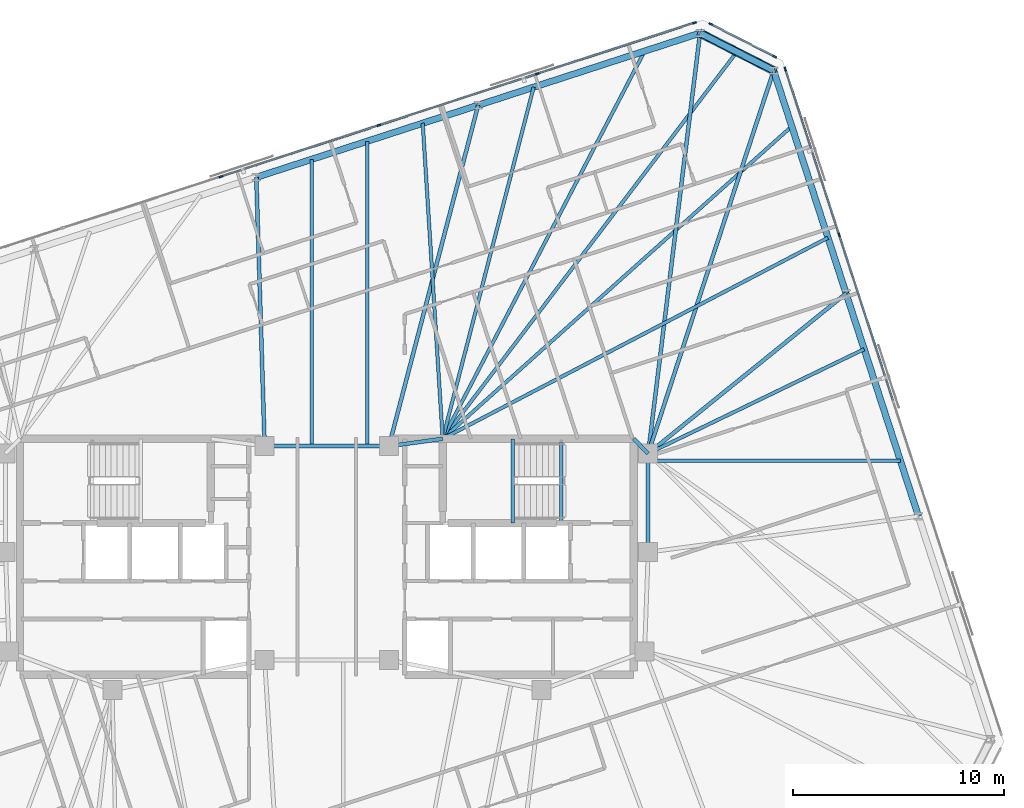
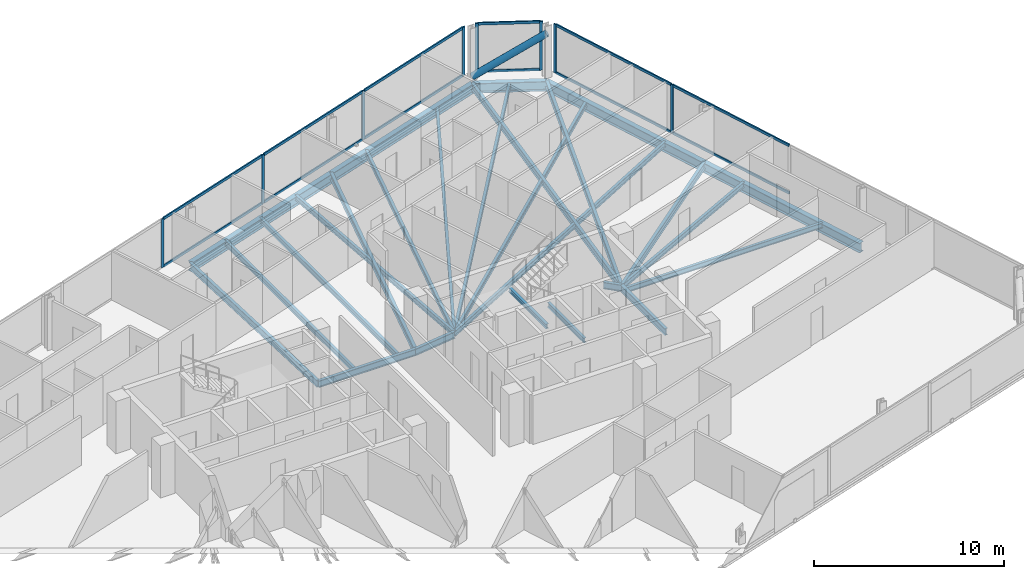
# One storey, part 10 of 20: 26 beams, 21 members, 3 elements without a shape of their own.
"""IFC4 building model written with IfcOpenShell, lengths in metres."""

from ifc_helpers import new_model, si_unit, direction, frame, origin, origin_2d, place, context, subcontext, project, spatial, rectangle, hollow_circle, i_section, extrude, material, material_profile, profile_set, type_object, element, aggregate, save


model = new_model("IFC4")

# Units and contexts
model_context = context("Model", 3, precision=1e-05, world=origin(), true_north=direction((0.0, 1.0)))
body_context = subcontext(model_context, "Body", "Model", "MODEL_VIEW")
ifc_project = project(units=[si_unit("LENGTHUNIT", "METRE"), si_unit("AREAUNIT", "SQUARE_METRE"), si_unit("VOLUMEUNIT", "CUBIC_METRE"), si_unit("PLANEANGLEUNIT", "RADIAN"), si_unit("MASSUNIT", "GRAM", prefix="KILO")], contexts=[model_context])

# Site, building, storey
site_placement = place(None, origin())
site = spatial("IfcSite", under=ifc_project, at=site_placement, CompositionType="ELEMENT")
building_placement = place(site_placement, origin())
building = spatial("IfcBuilding", under=site, at=building_placement, Name="Menara Jurai Vektor", CompositionType="ELEMENT")
storey_placement = place(building_placement, frame((0.0, 0.0, 224.300048828125)))
storey = spatial("IfcBuildingStorey", under=building, at=storey_placement, Name="L59", CompositionType="ELEMENT", Elevation=224.300048828125)

# Curtain wall, members
ifc_material_1 = material(Name="Anodised Pale Aluminium & Low-E Double Glazing", Category="aluminium")
curtain_wall_type = type_object("IfcCurtainWallType", Name="CW-BLK4", PredefinedType="NOTDEFINED", material=ifc_material_1)
curtain_wall_1_placement = place(storey_placement, origin())
curtain_wall_1 = element("IfcCurtainWall", 1, at=curtain_wall_1_placement, inside=storey, type_object=curtain_wall_type, Name="Unitised Curtain Wall L59 F03", PredefinedType="NOTDEFINED")
ifc_material_2 = material(Name="Anodised Pale Aluminium Mullion", Category="aluminium")
ifc_material_profile_1 = material_profile(ifc_material_2, rectangle(XDim=0.080078125, YDim=0.18994140625, at=origin_2d()), Name="ALU MUL 80x190")
ifc_profile_set_1 = profile_set([ifc_material_profile_1], Name="Anodised Pale Aluminium Mullion")
member_type_1 = type_object("IfcMemberType", Name="CW-BLK4-MUL", PredefinedType="MULLION", material=ifc_profile_set_1)
member_1_placement = place(storey_placement, frame((24.31494140625, 15.28271484375, 0.0), z_axis=(0.0, 0.0, 1.0), x_axis=(-0.95105668295, -0.309016481464, 0.0)))
member_1 = element("IfcMember", 2, at=member_1_placement, type_object=member_type_1, Name="CW-04 mullion 4", PredefinedType="MULLION", context=body_context, shape_type="SweptSolid", body=[
    extrude(rectangle(XDim=0.080078125, YDim=0.18994140625, at=origin_2d()), origin(), (0.0, 0.0, 1.0), 3.125),
])
member_2_placement = place(storey_placement, frame((21.75927734375, 23.14794921875, 0.0), z_axis=(0.0, 0.0, 1.0), x_axis=(-0.95105668295, -0.309016481464, 0.0)))
member_2 = element("IfcMember", 3, at=member_2_placement, type_object=member_type_1, Name="CW-04 mullion 5", PredefinedType="MULLION", context=body_context, shape_type="SweptSolid", body=[
    extrude(rectangle(XDim=0.080078125, YDim=0.18994140625, at=origin_2d()), origin(), (0.0, 0.0, 1.0), 3.125),
])

curtain_wall_2_placement = place(storey_placement, origin())
curtain_wall_2 = element("IfcCurtainWall", 4, at=curtain_wall_2_placement, inside=storey, type_object=curtain_wall_type, Name="Unitised Curtain Wall L59 F04", PredefinedType="NOTDEFINED")
member_3_placement = place(storey_placement, frame((21.25537109375, 23.73828125, 0.0), z_axis=(0.0, 0.0, 1.0), x_axis=(-0.453988579828, -0.89100750243, 0.0)))
member_3 = element("IfcMember", 5, at=member_3_placement, type_object=member_type_1, Name="CW-04 mullion 1", PredefinedType="MULLION", context=body_context, shape_type="SweptSolid", body=[
    extrude(rectangle(XDim=0.080078125, YDim=0.18994140625, at=origin_2d()), origin(), (0.0, 0.0, 1.0), 3.125),
])
member_4_placement = place(storey_placement, frame((18.223388671875, 25.282958984375, 0.0), z_axis=(0.0, 0.0, 1.0), x_axis=(-0.453988579828, -0.89100750243, 0.0)))
member_4 = element("IfcMember", 6, at=member_4_placement, type_object=member_type_1, Name="CW-04 mullion 2", PredefinedType="MULLION", context=body_context, shape_type="SweptSolid", body=[
    extrude(rectangle(XDim=0.080078125, YDim=0.18994140625, at=origin_2d()), origin(), (0.0, 0.0, 1.0), 3.125),
])

curtain_wall_3_placement = place(storey_placement, origin())
curtain_wall_3 = element("IfcCurtainWall", 7, at=curtain_wall_3_placement, inside=storey, type_object=curtain_wall_type, Name="Unitised Curtain Wall L59 F05", PredefinedType="NOTDEFINED")
member_5_placement = place(storey_placement, frame((17.44970703125, 25.34375, 0.0), z_axis=(0.0, 0.0, 1.0), x_axis=(0.309017344167, -0.951056402641, 0.0)))
member_5 = element("IfcMember", 8, at=member_5_placement, type_object=member_type_1, Name="CW-04 mullion 1", PredefinedType="MULLION", context=body_context, shape_type="SweptSolid", body=[
    extrude(rectangle(XDim=0.080078125, YDim=0.18994140625, at=origin_2d()), origin(), (0.0, 0.0, 1.0), 3.125),
])
member_6_placement = place(storey_placement, frame((9.982666015625, 22.917724609375, 0.0), z_axis=(0.0, 0.0, 1.0), x_axis=(0.309017344167, -0.951056402641, 0.0)))
member_6 = element("IfcMember", 9, at=member_6_placement, type_object=member_type_1, Name="CW-04 mullion 2", PredefinedType="MULLION", context=body_context, shape_type="SweptSolid", body=[
    extrude(rectangle(XDim=0.080078125, YDim=0.18994140625, at=origin_2d()), origin(), (0.0, 0.0, 1.0), 3.125),
])
member_7_placement = place(storey_placement, frame((2.4775390625, 20.47900390625, 0.0), z_axis=(0.0, 0.0, 1.0), x_axis=(0.309017344167, -0.951056402641, 0.0)))
member_7 = element("IfcMember", 10, at=member_7_placement, type_object=member_type_1, Name="CW-04 mullion 3", PredefinedType="MULLION", context=body_context, shape_type="SweptSolid", body=[
    extrude(rectangle(XDim=0.080078125, YDim=0.18994140625, at=origin_2d()), origin(), (0.0, 0.0, 1.0), 3.125),
])
member_8_placement = place(storey_placement, frame((-5.02783203125, 18.04052734375, 0.0), z_axis=(0.0, 0.0, 1.0), x_axis=(0.309017344167, -0.951056402641, 0.0)))
member_8 = element("IfcMember", 11, at=member_8_placement, type_object=member_type_1, Name="CW-04 mullion 4", PredefinedType="MULLION", context=body_context, shape_type="SweptSolid", body=[
    extrude(rectangle(XDim=0.080078125, YDim=0.18994140625, at=origin_2d()), origin(), (0.0, 0.0, 1.0), 3.125),
])

# Member
ifc_material_3 = material(Name="Anodised Pale Aluminium Transom", Category="aluminium")
ifc_material_profile_2 = material_profile(ifc_material_3, rectangle(XDim=0.080078125, YDim=0.1650390625, at=origin_2d()), Name="ALU TRN 80x165")
ifc_profile_set_2 = profile_set([ifc_material_profile_2], Name="Anodised Pale Aluminium Transom")
member_type_2 = type_object("IfcMemberType", Name="CW-BLK4-TRN", PredefinedType="USERDEFINED", material=ifc_profile_set_2)
member_9_placement = place(storey_placement, frame((26.870361328125, 7.41748046875, 0.0400390625), z_axis=(-0.309010276303, 0.951058699103, 0.0), x_axis=(-0.951058699103, -0.309010276303, 0.0)))
member_9 = element("IfcMember", 12, at=member_9_placement, type_object=member_type_2, Name="CW-04 transom 3.1", ObjectType="TRANSOM", PredefinedType="USERDEFINED", context=body_context, shape_type="SweptSolid", body=[
    extrude(rectangle(XDim=0.080078125, YDim=0.1650390625, at=origin_2d()), origin(), (0.0, 0.0, 1.0), 8.230224609375),
])

member_10_placement = place(storey_placement, frame((26.870361328125, 7.41748046875, 3.0849609375), z_axis=(-0.309010276303, 0.951058699103, 0.0), x_axis=(-0.951058699103, -0.309010276303, 0.0)))
member_10 = element("IfcMember", 13, at=member_10_placement, type_object=member_type_2, Name="CW-04 transom 3.2", ObjectType="TRANSOM", PredefinedType="USERDEFINED", context=body_context, shape_type="SweptSolid", body=[
    extrude(rectangle(XDim=0.080078125, YDim=0.1650390625, at=origin_2d()), origin(), (0.0, 0.0, 1.0), 8.230224609375),
])

member_11_placement = place(storey_placement, frame((24.302490234375, 15.32080078125, 0.0400390625), z_axis=(-0.309001816839, 0.951061447642, 0.0), x_axis=(-0.951061447642, -0.309001816839, 0.0)))
member_11 = element("IfcMember", 14, at=member_11_placement, type_object=member_type_2, Name="CW-04 transom 4.1", ObjectType="TRANSOM", PredefinedType="USERDEFINED", context=body_context, shape_type="SweptSolid", body=[
    extrude(rectangle(XDim=0.080078125, YDim=0.1650390625, at=origin_2d()), origin(), (0.0, 0.0, 1.0), 8.190185546875),
])

member_12_placement = place(storey_placement, frame((24.302490234375, 15.32080078125, 3.0849609375), z_axis=(-0.309001816839, 0.951061447642, 0.0), x_axis=(-0.951061447642, -0.309001816839, 0.0)))
member_12 = element("IfcMember", 15, at=member_12_placement, type_object=member_type_2, Name="CW-04 transom 4.2", ObjectType="TRANSOM", PredefinedType="USERDEFINED", context=body_context, shape_type="SweptSolid", body=[
    extrude(rectangle(XDim=0.080078125, YDim=0.1650390625, at=origin_2d()), origin(), (0.0, 0.0, 1.0), 8.190185546875),
])

aggregate(curtain_wall_1, [member_1, member_2, member_9, member_10, member_11, member_12])

member_13_placement = place(storey_placement, frame((21.2197265625, 23.75634765625, 0.0400390625), z_axis=(-0.89100697374, 0.453989617444, 0.0), x_axis=(-0.453989617444, -0.89100697374, 0.0)))
member_13 = element("IfcMember", 16, at=member_13_placement, type_object=member_type_2, Name="CW-04 transom 1.1", ObjectType="TRANSOM", PredefinedType="USERDEFINED", context=body_context, shape_type="SweptSolid", body=[
    extrude(rectangle(XDim=0.080078125, YDim=0.1650390625, at=origin_2d()), origin(), (0.0, 0.0, 1.0), 3.32275390625),
])

member_14_placement = place(storey_placement, frame((21.2197265625, 23.75634765625, 3.0849609375), z_axis=(-0.89100697374, 0.453989617444, 0.0), x_axis=(-0.453989617444, -0.89100697374, 0.0)))
member_14 = element("IfcMember", 17, at=member_14_placement, type_object=member_type_2, Name="CW-04 transom 1.2", ObjectType="TRANSOM", PredefinedType="USERDEFINED", context=body_context, shape_type="SweptSolid", body=[
    extrude(rectangle(XDim=0.080078125, YDim=0.1650390625, at=origin_2d()), origin(), (0.0, 0.0, 1.0), 3.32275390625),
])

aggregate(curtain_wall_2, [member_3, member_4, member_13, member_14])

member_15_placement = place(storey_placement, frame((17.41162109375, 25.33154296875, 0.0400390625), z_axis=(-0.951049997348, -0.309037056912, 0.0), x_axis=(0.309037056912, -0.951049997348, 0.0)))
member_15 = element("IfcMember", 18, at=member_15_placement, type_object=member_type_2, Name="CW-04 transom 1.1", ObjectType="TRANSOM", PredefinedType="USERDEFINED", context=body_context, shape_type="SweptSolid", body=[
    extrude(rectangle(XDim=0.080078125, YDim=0.1650390625, at=origin_2d()), origin(), (0.0, 0.0, 1.0), 7.771240234375),
])

member_16_placement = place(storey_placement, frame((17.41162109375, 25.33154296875, 3.0849609375), z_axis=(-0.951049997348, -0.309037056912, 0.0), x_axis=(0.309037056912, -0.951049997348, 0.0)))
member_16 = element("IfcMember", 19, at=member_16_placement, type_object=member_type_2, Name="CW-04 transom 1.2", ObjectType="TRANSOM", PredefinedType="USERDEFINED", context=body_context, shape_type="SweptSolid", body=[
    extrude(rectangle(XDim=0.080078125, YDim=0.1650390625, at=origin_2d()), origin(), (0.0, 0.0, 1.0), 7.771240234375),
])

member_17_placement = place(storey_placement, frame((9.944580078125, 22.9052734375, 0.0400390625), z_axis=(-0.951059330237, -0.309008333817, 0.0), x_axis=(0.309008333817, -0.951059330237, 0.0)))
member_17 = element("IfcMember", 20, at=member_17_placement, type_object=member_type_2, Name="CW-04 transom 2.1", ObjectType="TRANSOM", PredefinedType="USERDEFINED", context=body_context, shape_type="SweptSolid", body=[
    extrude(rectangle(XDim=0.080078125, YDim=0.1650390625, at=origin_2d()), origin(), (0.0, 0.0, 1.0), 7.8115234375),
])

member_18_placement = place(storey_placement, frame((9.944580078125, 22.9052734375, 3.0849609375), z_axis=(-0.951059330237, -0.309008333817, 0.0), x_axis=(0.309008333817, -0.951059330237, 0.0)))
member_18 = element("IfcMember", 21, at=member_18_placement, type_object=member_type_2, Name="CW-04 transom 2.2", ObjectType="TRANSOM", PredefinedType="USERDEFINED", context=body_context, shape_type="SweptSolid", body=[
    extrude(rectangle(XDim=0.080078125, YDim=0.1650390625, at=origin_2d()), origin(), (0.0, 0.0, 1.0), 7.8115234375),
])

member_19_placement = place(storey_placement, frame((2.439453125, 20.466552734375, 0.0400390625), z_axis=(-0.951059330237, -0.309008333817, 0.0), x_axis=(0.309008333817, -0.951059330237, 0.0)))
member_19 = element("IfcMember", 22, at=member_19_placement, type_object=member_type_2, Name="CW-04 transom 3.1", ObjectType="TRANSOM", PredefinedType="USERDEFINED", context=body_context, shape_type="SweptSolid", body=[
    extrude(rectangle(XDim=0.080078125, YDim=0.1650390625, at=origin_2d()), origin(), (0.0, 0.0, 1.0), 7.8115234375),
])

member_20_placement = place(storey_placement, frame((2.439453125, 20.466552734375, 3.0849609375), z_axis=(-0.951059330237, -0.309008333817, 0.0), x_axis=(0.309008333817, -0.951059330237, 0.0)))
member_20 = element("IfcMember", 23, at=member_20_placement, type_object=member_type_2, Name="CW-04 transom 3.2", ObjectType="TRANSOM", PredefinedType="USERDEFINED", context=body_context, shape_type="SweptSolid", body=[
    extrude(rectangle(XDim=0.080078125, YDim=0.1650390625, at=origin_2d()), origin(), (0.0, 0.0, 1.0), 7.8115234375),
])

aggregate(curtain_wall_3, [member_5, member_6, member_7, member_8, member_15, member_16, member_17, member_18, member_19, member_20])

# Beams
ifc_material_4 = material(Name="Steel S355", Category="steel")
ifc_material_profile_3 = material_profile(ifc_material_4, i_section(OverallWidth=0.18505859375, OverallDepth=0.429931640625, WebThickness=0.010986328125, FlangeThickness=0.01806640625, at=origin_2d()), Name="PG 430x185x76")
ifc_profile_set_3 = profile_set([ifc_material_profile_3], Name="Steel S355")
beam_type_1 = type_object("IfcBeamType", Name="STR-BM-430", PredefinedType="BEAM", material=ifc_profile_set_3)
beam_1_placement = place(storey_placement, frame((2.949951171875, 5.25, -0.43994140625), z_axis=(0.990706818608, 0.136014703483, 0.0), x_axis=(-0.136014703483, 0.990706818608, 0.0)))
element("IfcBeam", 24, at=beam_1_placement, inside=storey, type_object=beam_type_1, Name="Core Ring Header Girder L59-CHE-N1", PredefinedType="BEAM", context=body_context, shape_type="SweptSolid", body=[
    extrude(i_section(OverallWidth=0.18505859375, OverallDepth=0.429931640625, WebThickness=0.010986328125, FlangeThickness=0.01806640625, at=origin_2d()), origin(), (0.0, 0.0, 1.0), 2.573974609375),
])
beam_2_placement = place(storey_placement, frame((14.56005859375, 5.60009765625, -0.43994140625), z_axis=(0.701871936926, -0.712303154672, 0.0), x_axis=(0.712303154672, 0.701871936926, 0.0)))
element("IfcBeam", 25, at=beam_2_placement, inside=storey, type_object=beam_type_1, Name="Core Ring Header Girder L59-CHE-N2", PredefinedType="BEAM", context=body_context, shape_type="SweptSolid", body=[
    extrude(i_section(OverallWidth=0.18505859375, OverallDepth=0.429931640625, WebThickness=0.010986328125, FlangeThickness=0.01806640625, at=origin_2d()), origin(), (0.0, 0.0, 1.0), 0.98291015625),
])
beam_3_placement = place(storey_placement, frame((15.25, 0.219970703125, -0.43994140625), z_axis=(0.0, 1.0, 0.0), x_axis=(-1.0, 0.0, 0.0)))
element("IfcBeam", 26, at=beam_3_placement, inside=storey, type_object=beam_type_1, Name="Core Ring Header Girder L59-CHE-E1", PredefinedType="BEAM", context=body_context, shape_type="SweptSolid", body=[
    extrude(i_section(OverallWidth=0.18505859375, OverallDepth=0.429931640625, WebThickness=0.010986328125, FlangeThickness=0.01806640625, at=origin_2d()), origin(), (0.0, 0.0, 1.0), 4.679931640625),
])
beam_4_placement = place(storey_placement, frame((-2.949951171875, 5.25, -0.43994140625), z_axis=(1.0, 0.0, 0.0), x_axis=(0.0, 1.0, 0.0)))
element("IfcBeam", 27, at=beam_4_placement, inside=storey, type_object=beam_type_1, Name="Core Ring Header Girder L59-CC-2", PredefinedType="BEAM", context=body_context, shape_type="SweptSolid", body=[
    extrude(i_section(OverallWidth=0.18505859375, OverallDepth=0.429931640625, WebThickness=0.010986328125, FlangeThickness=0.01806640625, at=origin_2d()), origin(), (0.0, 0.0, 1.0), 5.89990234375),
])
beam_5_placement = place(storey_placement, frame((24.641845703125, 12.496826171875, -0.43994140625), z_axis=(-0.777487674144, -0.628898176619, 0.0), x_axis=(0.628898176619, -0.777487674144, 0.0)))
element("IfcBeam", 28, at=beam_5_placement, inside=storey, type_object=beam_type_1, Name="Radial Floor Girder L59-E3", PredefinedType="BEAM", context=body_context, shape_type="SweptSolid", body=[
    extrude(i_section(OverallWidth=0.18505859375, OverallDepth=0.429931640625, WebThickness=0.010986328125, FlangeThickness=0.01806640625, at=origin_2d()), origin(), (0.0, 0.0, 1.0), 12.079833984375),
])
beam_6_placement = place(storey_placement, frame((21.205810546875, 23.071044921875, -0.43994140625), z_axis=(-0.311459010005, -0.950259588263, 0.0), x_axis=(0.950259588263, -0.311459010005, 0.0)))
element("IfcBeam", 29, at=beam_6_placement, inside=storey, type_object=beam_type_1, Name="Radial Floor Girder L59-E4", PredefinedType="BEAM", context=body_context, shape_type="SweptSolid", body=[
    extrude(i_section(OverallWidth=0.18505859375, OverallDepth=0.429931640625, WebThickness=0.010986328125, FlangeThickness=0.01806640625, at=origin_2d()), origin(), (0.0, 0.0, 1.0), 19.122314453125),
])
beam_7_placement = place(storey_placement, frame((17.712890625, 24.85107421875, -0.43994140625), z_axis=(-0.122515938756, -0.99246654591, 0.0), x_axis=(0.99246654591, -0.122515938756, 0.0)))
element("IfcBeam", 30, at=beam_7_placement, inside=storey, type_object=beam_type_1, Name="Radial Floor Girder L59-N1", PredefinedType="BEAM", context=body_context, shape_type="SweptSolid", body=[
    extrude(i_section(OverallWidth=0.18505859375, OverallDepth=0.429931640625, WebThickness=0.010986328125, FlangeThickness=0.01806640625, at=origin_2d()), origin(), (0.0, 0.0, 1.0), 20.1025390625),
])
beam_8_placement = place(storey_placement, frame((7.18359375, 21.4296875, -0.43994140625), z_axis=(-0.253141463003, -0.96742927375, 0.0), x_axis=(0.96742927375, -0.253141463003, 0.0)))
element("IfcBeam", 31, at=beam_8_placement, inside=storey, type_object=beam_type_1, Name="Radial Floor Girder L59-N2", PredefinedType="BEAM", context=body_context, shape_type="SweptSolid", body=[
    extrude(i_section(OverallWidth=0.18505859375, OverallDepth=0.429931640625, WebThickness=0.010986328125, FlangeThickness=0.01806640625, at=origin_2d()), origin(), (0.0, 0.0, 1.0), 16.724365234375),
])
beam_9_placement = place(storey_placement, frame((-3.345703125, 18.008544921875, -0.43994140625), z_axis=(0.031003668991, -0.999519270704, 0.0), x_axis=(0.999519270704, 0.031003668991, 0.0)))
element("IfcBeam", 32, at=beam_9_placement, inside=storey, type_object=beam_type_1, Name="Radial Floor Girder L59-N3", PredefinedType="BEAM", context=body_context, shape_type="SweptSolid", body=[
    extrude(i_section(OverallWidth=0.18505859375, OverallDepth=0.429931640625, WebThickness=0.010986328125, FlangeThickness=0.01806640625, at=origin_2d()), origin(), (0.0, 0.0, 1.0), 12.7646484375),
])

# Member
ifc_material_5 = material(Name="Steel S460", Category="steel")
ifc_material_profile_4 = material_profile(ifc_material_5, hollow_circle(Radius=0.203125, WallThickness=0.01611328125, at=origin_2d()), Name="CHS 406.4x16")
ifc_profile_set_4 = profile_set([ifc_material_profile_4], Name="Steel S460")
member_type_3 = type_object("IfcMemberType", Name="STR-BR-406", PredefinedType="BRACE", material=ifc_profile_set_4)
member_21_placement = place(storey_placement, frame((17.712890625, 24.85107421875, 0.14990234375), z_axis=(0.740360915323, -0.377269459996, 0.556357321886), x_axis=(0.454025593397, 0.890988642206, 0.0)))
element("IfcMember", 33, at=member_21_placement, inside=storey, type_object=member_type_3, Name="Exoskeleton Corner Brace L59-2", PredefinedType="BRACE", context=body_context, shape_type="SweptSolid", body=[
    extrude(hollow_circle(Radius=0.203125, WallThickness=0.01611328125, at=origin_2d()), origin(), (0.0, 0.0, 1.0), 4.71826171875),
])

# Beams
ifc_material_profile_5 = material_profile(ifc_material_4, i_section(OverallWidth=0.1650390625, OverallDepth=0.330078125, WebThickness=0.009033203125, FlangeThickness=0.013916015625, at=origin_2d()), Name="PG 330x165x46")
ifc_profile_set_5 = profile_set([ifc_material_profile_5], Name="Steel S355")
beam_type_2 = type_object("IfcBeamType", Name="STR-JS-330", PredefinedType="JOIST", material=ifc_profile_set_5)
beam_10_placement = place(storey_placement, frame((27.218505859375, 4.56591796875, -0.39013671875), z_axis=(-1.0, 0.0, 0.0), x_axis=(0.0, -1.0, 0.0)))
element("IfcBeam", 34, at=beam_10_placement, inside=storey, type_object=beam_type_2, Name="Radial Secondary Floor Joist L59-JS11", PredefinedType="JOIST", context=body_context, shape_type="SweptSolid", body=[
    extrude(i_section(OverallWidth=0.1650390625, OverallDepth=0.330078125, WebThickness=0.009033203125, FlangeThickness=0.013916015625, at=origin_2d()), origin(), (0.0, 0.0, 1.0), 11.968505859375),
])
beam_11_placement = place(storey_placement, frame((25.500732421875, 9.853271484375, -0.39013671875), z_axis=(-0.900388578627, -0.435086666629, 0.0), x_axis=(0.435086666629, -0.900388578627, 0.0)))
element("IfcBeam", 35, at=beam_11_placement, inside=storey, type_object=beam_type_2, Name="Radial Secondary Floor Joist L59-JS12", PredefinedType="JOIST", context=body_context, shape_type="SweptSolid", body=[
    extrude(i_section(OverallWidth=0.1650390625, OverallDepth=0.330078125, WebThickness=0.009033203125, FlangeThickness=0.013916015625, at=origin_2d()), origin(), (0.0, 0.0, 1.0), 11.384765625),
])
beam_12_placement = place(storey_placement, frame((23.78271484375, 15.140380859375, -0.39013671875), z_axis=(-0.886555502614, -0.462622244153, 0.0), x_axis=(0.462622244153, -0.886555502614, 0.0)))
element("IfcBeam", 36, at=beam_12_placement, inside=storey, type_object=beam_type_2, Name="Radial Secondary Floor Joist L59-JS13", PredefinedType="JOIST", context=body_context, shape_type="SweptSolid", body=[
    extrude(i_section(OverallWidth=0.1650390625, OverallDepth=0.330078125, WebThickness=0.009033203125, FlangeThickness=0.013916015625, at=origin_2d()), origin(), (0.0, 0.0, 1.0), 20.6220703125),
])
beam_13_placement = place(storey_placement, frame((22.06494140625, 20.427490234375, -0.39013671875), z_axis=(-0.745104297608, -0.666947963252, 0.0), x_axis=(0.666947963252, -0.745104297608, 0.0)))
element("IfcBeam", 37, at=beam_13_placement, inside=storey, type_object=beam_type_2, Name="Radial Secondary Floor Joist L59-JS14", PredefinedType="JOIST", context=body_context, shape_type="SweptSolid", body=[
    extrude(i_section(OverallWidth=0.1650390625, OverallDepth=0.330078125, WebThickness=0.009033203125, FlangeThickness=0.013916015625, at=origin_2d()), origin(), (0.0, 0.0, 1.0), 22.231689453125),
])
beam_14_placement = place(storey_placement, frame((19.45947265625, 23.9609375, -0.39013671875), z_axis=(-0.605227110118, -0.796052853257, 0.0), x_axis=(0.796052853257, -0.605227110118, 0.0)))
element("IfcBeam", 38, at=beam_14_placement, inside=storey, type_object=beam_type_2, Name="Radial Secondary Floor Joist L59-JS15", PredefinedType="JOIST", context=body_context, shape_type="SweptSolid", body=[
    extrude(i_section(OverallWidth=0.1650390625, OverallDepth=0.330078125, WebThickness=0.009033203125, FlangeThickness=0.013916015625, at=origin_2d()), origin(), (0.0, 0.0, 1.0), 23.06494140625),
])
beam_15_placement = place(storey_placement, frame((15.08056640625, 23.99560546875, -0.39013671875), z_axis=(-0.461918215026, -0.886922523464, 0.0), x_axis=(0.886922523464, -0.461918215026, 0.0)))
element("IfcBeam", 39, at=beam_15_placement, inside=storey, type_object=beam_type_2, Name="Radial Secondary Floor Joist L59-JS16", PredefinedType="JOIST", context=body_context, shape_type="SweptSolid", body=[
    extrude(i_section(OverallWidth=0.1650390625, OverallDepth=0.330078125, WebThickness=0.009033203125, FlangeThickness=0.013916015625, at=origin_2d()), origin(), (0.0, 0.0, 1.0), 20.74072265625),
])
beam_16_placement = place(storey_placement, frame((9.81591796875, 22.28515625, -0.39013671875), z_axis=(-0.250427234151, -0.968135424616, 0.0), x_axis=(0.968135424616, -0.250427234151, 0.0)))
element("IfcBeam", 40, at=beam_16_placement, inside=storey, type_object=beam_type_2, Name="Radial Secondary Floor Joist L59-JS17", PredefinedType="JOIST", context=body_context, shape_type="SweptSolid", body=[
    extrude(i_section(OverallWidth=0.1650390625, OverallDepth=0.330078125, WebThickness=0.009033203125, FlangeThickness=0.013916015625, at=origin_2d()), origin(), (0.0, 0.0, 1.0), 17.234130859375),
])
beam_17_placement = place(storey_placement, frame((4.55126953125, 20.574462890625, -0.39013671875), z_axis=(0.063230194737, -0.997998969175, 0.0), x_axis=(0.997998969175, 0.063230194737, 0.0)))
element("IfcBeam", 41, at=beam_17_placement, inside=storey, type_object=beam_type_2, Name="Radial Secondary Floor Joist L59-JS18", PredefinedType="JOIST", context=body_context, shape_type="SweptSolid", body=[
    extrude(i_section(OverallWidth=0.1650390625, OverallDepth=0.330078125, WebThickness=0.009033203125, FlangeThickness=0.013916015625, at=origin_2d()), origin(), (0.0, 0.0, 1.0), 15.00439453125),
])
beam_18_placement = place(storey_placement, frame((1.9189453125, 19.71923828125, -0.39013671875), z_axis=(0.0, -1.0, 0.0), x_axis=(1.0, 0.0, 0.0)))
element("IfcBeam", 42, at=beam_18_placement, inside=storey, type_object=beam_type_2, Name="Radial Secondary Floor Joist L59-JS19", PredefinedType="JOIST", context=body_context, shape_type="SweptSolid", body=[
    extrude(i_section(OverallWidth=0.1650390625, OverallDepth=0.330078125, WebThickness=0.009033203125, FlangeThickness=0.013916015625, at=origin_2d()), origin(), (0.0, 0.0, 1.0), 14.46923828125),
])
beam_19_placement = place(storey_placement, frame((-0.71337890625, 18.864013671875, -0.39013671875), z_axis=(0.0, -1.0, 0.0), x_axis=(1.0, 0.0, 0.0)))
element("IfcBeam", 43, at=beam_19_placement, inside=storey, type_object=beam_type_2, Name="Radial Secondary Floor Joist L59-JS20", PredefinedType="JOIST", context=body_context, shape_type="SweptSolid", body=[
    extrude(i_section(OverallWidth=0.1650390625, OverallDepth=0.330078125, WebThickness=0.009033203125, FlangeThickness=0.013916015625, at=origin_2d()), origin(), (0.0, 0.0, 1.0), 13.614013671875),
])
ifc_material_profile_6 = material_profile(ifc_material_4, i_section(OverallWidth=0.1650390625, OverallDepth=0.302978515625, WebThickness=0.006103515625, FlangeThickness=0.010009765625, FilletRadius=0.009033203125, at=origin_2d()), Name="UKB 305x165x40")
ifc_profile_set_6 = profile_set([ifc_material_profile_6], Name="Steel S355")
beam_type_3 = type_object("IfcBeamType", Name="STR-LN-305", PredefinedType="LINTEL", material=ifc_profile_set_6)
beam_20_placement = place(storey_placement, frame((11.1201171875, 1.60009765625, -0.37646484375), z_axis=(0.0, 1.0, 0.0), x_axis=(-1.0, 0.0, 0.0)))
element("IfcBeam", 44, at=beam_20_placement, inside=storey, type_object=beam_type_3, Name="Stair Well Floor Trimmer ST2 L59", PredefinedType="LINTEL", context=body_context, shape_type="SweptSolid", body=[
    extrude(i_section(OverallWidth=0.1650390625, OverallDepth=0.302978515625, WebThickness=0.006103515625, FlangeThickness=0.010009765625, FilletRadius=0.009033203125, at=origin_2d()), origin(), (0.0, 0.0, 1.0), 3.81982421875),
])
beam_21_placement = place(storey_placement, frame((8.830078125, 1.60009765625, 1.323486328125), z_axis=(0.0, 1.0, 0.0), x_axis=(-1.0, 0.0, 0.0)))
element("IfcBeam", 45, at=beam_21_placement, inside=storey, type_object=beam_type_3, Name="Stair Half-Landing Nosing Trimmer ST2-1 L59", PredefinedType="LINTEL", context=body_context, shape_type="SweptSolid", body=[
    extrude(i_section(OverallWidth=0.1650390625, OverallDepth=0.302978515625, WebThickness=0.006103515625, FlangeThickness=0.010009765625, FilletRadius=0.009033203125, at=origin_2d()), origin(), (0.0, 0.0, 1.0), 4.0),
])
ifc_material_profile_7 = material_profile(ifc_material_4, i_section(OverallWidth=0.306884765625, OverallDepth=0.6201171875, WebThickness=0.013916015625, FlangeThickness=0.02392578125, FilletRadius=0.01708984375, at=origin_2d()), Name="UKB 610x305x179")
ifc_profile_set_7 = profile_set([ifc_material_profile_7], Name="Steel S355")
beam_type_4 = type_object("IfcBeamType", Name="STR-SP-610", PredefinedType="SPANDREL", material=ifc_profile_set_7)
beam_22_placement = place(storey_placement, frame((28.07763671875, 1.92236328125, -0.53515625), z_axis=(-0.309012092614, 0.95105810896, 0.0), x_axis=(-0.95105810896, -0.309012092614, 0.0)))
element("IfcBeam", 46, at=beam_22_placement, inside=storey, type_object=beam_type_4, Name="Exoskeleton Spandrel Beam L59-08", PredefinedType="SPANDREL", context=body_context, shape_type="SweptSolid", body=[
    extrude(i_section(OverallWidth=0.306884765625, OverallDepth=0.6201171875, WebThickness=0.013916015625, FlangeThickness=0.02392578125, FilletRadius=0.01708984375, at=origin_2d()), origin(), (0.0, 0.0, 1.0), 11.11865234375),
])
beam_23_placement = place(storey_placement, frame((24.641845703125, 12.496826171875, -0.53515625), z_axis=(-0.309038407092, 0.951049558615, 0.0), x_axis=(-0.951049558615, -0.309038407092, 0.0)))
element("IfcBeam", 47, at=beam_23_placement, inside=storey, type_object=beam_type_4, Name="Exoskeleton Spandrel Beam L59-09", PredefinedType="SPANDREL", context=body_context, shape_type="SweptSolid", body=[
    extrude(i_section(OverallWidth=0.306884765625, OverallDepth=0.6201171875, WebThickness=0.013916015625, FlangeThickness=0.02392578125, FilletRadius=0.01708984375, at=origin_2d()), origin(), (0.0, 0.0, 1.0), 11.118408203125),
])
beam_24_placement = place(storey_placement, frame((21.205810546875, 23.071044921875, -0.53515625), z_axis=(-0.890975804423, 0.454050785633, 0.0), x_axis=(-0.454050785633, -0.890975804423, 0.0)))
element("IfcBeam", 48, at=beam_24_placement, inside=storey, type_object=beam_type_4, Name="Exoskeleton Spandrel Beam L59-10", PredefinedType="SPANDREL", context=body_context, shape_type="SweptSolid", body=[
    extrude(i_section(OverallWidth=0.306884765625, OverallDepth=0.6201171875, WebThickness=0.013916015625, FlangeThickness=0.02392578125, FilletRadius=0.01708984375, at=origin_2d()), origin(), (0.0, 0.0, 1.0), 3.92041015625),
])
beam_25_placement = place(storey_placement, frame((17.712890625, 24.85107421875, -0.53515625), z_axis=(-0.951050920942, -0.309034214572, 0.0), x_axis=(0.309034214572, -0.951050920942, 0.0)))
element("IfcBeam", 49, at=beam_25_placement, inside=storey, type_object=beam_type_4, Name="Exoskeleton Spandrel Beam L59-11", PredefinedType="SPANDREL", context=body_context, shape_type="SweptSolid", body=[
    extrude(i_section(OverallWidth=0.306884765625, OverallDepth=0.6201171875, WebThickness=0.013916015625, FlangeThickness=0.02392578125, FilletRadius=0.01708984375, at=origin_2d()), origin(), (0.0, 0.0, 1.0), 11.0712890625),
])
beam_26_placement = place(storey_placement, frame((7.18359375, 21.4296875, -0.53515625), z_axis=(-0.951057401967, -0.309014268544, 0.0), x_axis=(0.309014268544, -0.951057401967, 0.0)))
element("IfcBeam", 50, at=beam_26_placement, inside=storey, type_object=beam_type_4, Name="Exoskeleton Spandrel Beam L59-12", PredefinedType="SPANDREL", context=body_context, shape_type="SweptSolid", body=[
    extrude(i_section(OverallWidth=0.306884765625, OverallDepth=0.6201171875, WebThickness=0.013916015625, FlangeThickness=0.02392578125, FilletRadius=0.01708984375, at=origin_2d()), origin(), (0.0, 0.0, 1.0), 11.071044921875),
])

save(model, "model.ifc")
